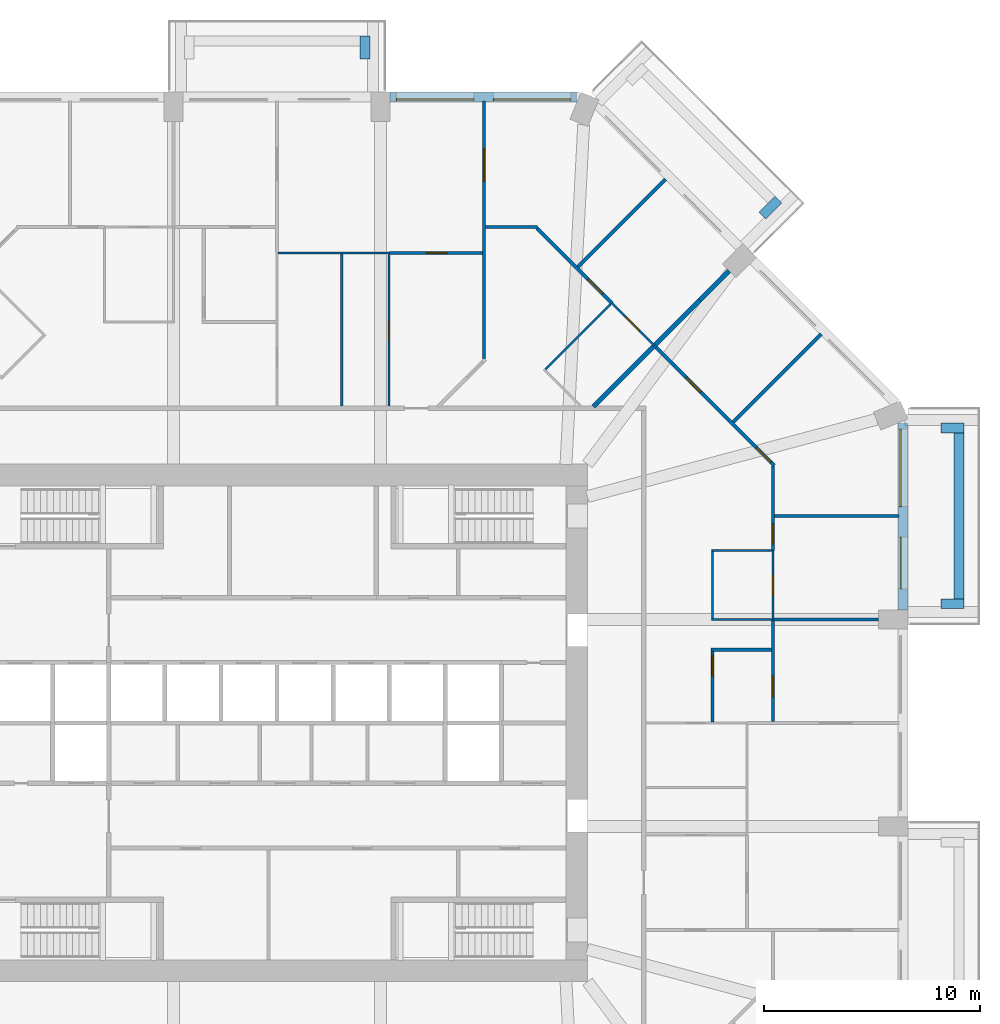
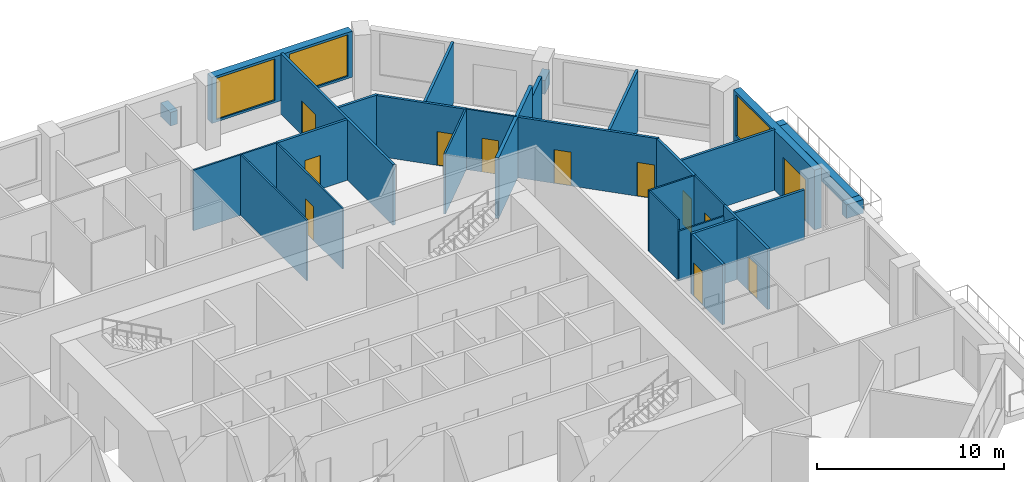
# One storey, part 10 of 13: 31 walls, 12 doors, 3 windows, 15 openings.
"""IFC4 building model written with IfcOpenShell, lengths in metres."""

from ifc_helpers import new_model, si_unit, direction, frame, frame_2d, origin, place, context, subcontext, project, spatial, rectangle, extrude, material, layer, layer_set, type_object, element, fill, save


model = new_model("IFC4")

# Units and contexts
model_context = context("Model", 3, precision=1e-05, world=origin(), true_north=direction((0.0, 1.0)))
body_context = subcontext(model_context, "Body", "Model", "MODEL_VIEW")
ifc_project = project(units=[si_unit("LENGTHUNIT", "METRE"), si_unit("AREAUNIT", "SQUARE_METRE"), si_unit("VOLUMEUNIT", "CUBIC_METRE"), si_unit("PLANEANGLEUNIT", "RADIAN"), si_unit("MASSUNIT", "GRAM", prefix="KILO")], contexts=[model_context])

# Site, building, storey
site_placement = place(None, origin())
site = spatial("IfcSite", under=ifc_project, at=site_placement, CompositionType="ELEMENT")
building_placement = place(site_placement, origin())
building = spatial("IfcBuilding", under=site, at=building_placement, Name="Msitu Wima Residences", CompositionType="ELEMENT")
storey_placement = place(building_placement, frame((0.0, 0.0, 33.89990234375)))
storey = spatial("IfcBuildingStorey", under=building, at=storey_placement, Name="L07", CompositionType="ELEMENT", Elevation=33.89990234375)

# Walls
ifc_material_1 = material(Name="Facing brick")
ifc_layer_1 = layer(ifc_material_1, 0.06494140625, Name="Facing brick")
ifc_material_2 = material(Name="Concrete C40/50", Category="concrete")
ifc_layer_2 = layer(ifc_material_2, 0.156005859375, Name="Concrete C40/50")
ifc_material_3 = material(Name="Waterproofing membrane")
ifc_layer_3 = layer(ifc_material_3, 0.00390625, Name="Waterproofing membrane")
ifc_material_4 = material(Name="Planting soil and planting")
ifc_layer_4 = layer(ifc_material_4, 0.22509765625, Name="Planting soil and planting")
ifc_layer_set_1 = layer_set([ifc_layer_1, ifc_layer_2, ifc_layer_3, ifc_layer_4], Name="Concrete C40/50")
wall_type_1 = type_object("IfcWallType", Name="Balcony planter PLANTER PL450", PredefinedType="USERDEFINED", material=ifc_layer_set_1)
wall_1_placement = place(storey_placement, frame((31.625, 5.75, 0.0), z_axis=(0.0, 0.0, 1.0), x_axis=(0.0, 1.0, 0.0)))
element("IfcWall", 1, at=wall_1_placement, inside=storey, type_object=wall_type_1, Name="Balcony planter E2 L07", ObjectType="PLANTER", PredefinedType="USERDEFINED", context=body_context, shape_type="SweptSolid", body=[
    extrude(rectangle(XDim=7.699951171875, YDim=0.449951171875, at=frame_2d((3.85009765625, 0.0))), origin(), (0.0, 0.0, 1.0), 0.900146484375),
])
for number, where, z_axis, x_axis, name in (
    (2, (30.800048828125, 5.52490234375, 0.0), (0.0, 0.0, 1.0), (1.0, 0.0, 0.0), "Balcony planter E2 L07"),
    (3, (30.800048828125, 13.675048828125, 0.0), (0.0, 0.0, 1.0), (1.0, 0.0, 0.0), "Balcony planter E2 L07"),
    (4, (22.50146484375, 23.52685546875, 0.0), (0.0, 0.0, 1.0), (0.707223014731, 0.706990528533, 0.0), "Balcony planter NE1 L07"),
    (5, (4.074951171875, 30.800048828125, 0.0), (0.0, 0.0, 1.0), (0.0, 1.0, 0.0), "Balcony planter N1 L07"),
):
    element("IfcWall", number, at=place(storey_placement, frame(where, z_axis=z_axis, x_axis=x_axis)), inside=storey, type_object=wall_type_1, Name=name, ObjectType="PLANTER", PredefinedType="USERDEFINED", context=body_context, shape_type="SweptSolid", body=[
        extrude(rectangle(XDim=1.050048828125, YDim=0.449951171875, at=frame_2d((0.52490234375, 0.0))), origin(), (0.0, 0.0, 1.0), 0.900146484375),
    ])

# Wall, openings, door, window
ifc_material_5 = material(Name="Brick (red buff mix)", Category="masonry")
ifc_layer_5 = layer(ifc_material_5, 0.449951171875)
ifc_layer_set_2 = layer_set([ifc_layer_5], Name="Brick (red buff mix)")
wall_type_2 = type_object("IfcWallType", Name="Brick infill wall BW450", PredefinedType="SOLIDWALL", material=ifc_layer_set_2)
wall_2_placement = place(storey_placement, frame((29.02490234375, 5.25, 0.0), z_axis=(0.0, 0.0, 1.0), x_axis=(0.0, 1.0, 0.0)))
wall_2 = element("IfcWall", 6, at=wall_2_placement, inside=storey, type_object=wall_type_2, Name="Brick infill wall L07 E2", PredefinedType="SOLIDWALL", context=body_context, shape_type="SweptSolid", body=[
    extrude(rectangle(XDim=8.662841796875, YDim=0.449951171875, at=frame_2d((4.33154296875, 0.0))), origin(), (0.0, 0.0, 1.0), 3.900146484375),
])
opening_1_placement = place(wall_2_placement, frame((0.9658203125, 0.0, 0.0)))
opening_1 = element("IfcOpeningElement", 7, at=opening_1_placement, cuts=wall_2, Name="Opening D05-07.002", PredefinedType="OPENING", context=body_context, shape_type="SweptSolid", body=[
    extrude(rectangle(XDim=2.39990234375, YDim=2.699951171875, at=frame_2d((1.199951171875, 1.35009765625))), frame((0.0, 0.23486328125, 0.0), z_axis=(0.0, -1.0, 0.0), x_axis=(1.0, 0.0, 0.0)), (0.0, 0.0, 1.0), 0.469970703125),
])
opening_2_placement = place(wall_2_placement, frame((4.781494140625, 0.0, 1.050048828125)))
opening_2 = element("IfcOpeningElement", 8, at=opening_2_placement, cuts=wall_2, Name="Opening W05-07.004", PredefinedType="OPENING", context=body_context, shape_type="SweptSolid", body=[
    extrude(rectangle(XDim=3.60009765625, YDim=2.699951171875, at=frame_2d((1.800048828125, 1.35009765625))), frame((0.0, 0.23486328125, 0.0), z_axis=(0.0, -1.0, 0.0), x_axis=(1.0, 0.0, 0.0)), (0.0, 0.0, 1.0), 0.469970703125),
])
ifc_material_6 = material(Name="Anodised aluminium, bronze finish, clear low-emissivity double glazing", Category="aluminium")
door_type_1 = type_object("IfcDoorType", Name="Balcony door D2400x2700", OperationType="SLIDING_TO_LEFT", PredefinedType="DOOR", material=ifc_material_6)
door_1_placement = place(opening_1_placement, origin())
door_1 = element("IfcDoor", 9, at=door_1_placement, inside=storey, type_object=door_type_1, Name="Balcony door L07 E2", OperationType="SINGLE_SWING_LEFT", OverallHeight=2.699951171875, OverallWidth=2.39990234375, PredefinedType="DOOR", context=body_context, shape_type="SweptSolid", body=[
    extrude(rectangle(XDim=2.39990234375, YDim=2.699951171875, at=frame_2d((1.199951171875, 1.35009765625))), frame((0.0, 0.1298828125, 0.0), z_axis=(0.0, -1.0, 0.0), x_axis=(1.0, 0.0, 0.0)), (0.0, 0.0, 1.0), 0.050048828125),
])
fill(opening_1, door_1)
window_type = type_object("IfcWindowType", Name="Window W3600x2700", PartitioningType="DOUBLE_PANEL_VERTICAL", PredefinedType="WINDOW", material=ifc_material_6)
window_1_placement = place(opening_2_placement, origin())
window_1 = element("IfcWindow", 10, at=window_1_placement, inside=storey, type_object=window_type, Name="Window L07 E2.2", OverallHeight=2.699951171875, OverallWidth=3.60009765625, PartitioningType="SINGLE_PANEL", PredefinedType="WINDOW", context=body_context, shape_type="SweptSolid", body=[
    extrude(rectangle(XDim=3.60009765625, YDim=2.699951171875, at=frame_2d((1.800048828125, 1.35009765625))), frame((0.0, 0.135009765625, 0.0), z_axis=(0.0, -1.0, 0.0), x_axis=(1.0, 0.0, 0.0)), (0.0, 0.0, 1.0), 0.06005859375),
])
fill(opening_2, window_1)

# Wall, openings, windows
wall_3_placement = place(storey_placement, frame((13.912841796875, 29.02490234375, 0.900146484375), z_axis=(0.0, 0.0, 1.0), x_axis=(-1.0, 0.0, 0.0)))
wall_3 = element("IfcWall", 11, at=wall_3_placement, inside=storey, type_object=wall_type_2, Name="Brick infill wall L07 N0", PredefinedType="SOLIDWALL", context=body_context, shape_type="SweptSolid", body=[
    extrude(rectangle(XDim=8.662841796875, YDim=0.449951171875, at=frame_2d((4.33154296875, 0.0))), origin(), (0.0, 0.0, 1.0), 3.0),
])
opening_3_placement = place(wall_3_placement, frame((0.281494140625, 0.0, 0.14990234375)))
opening_3 = element("IfcOpeningElement", 12, at=opening_3_placement, cuts=wall_3, Name="Opening W05-07.005", PredefinedType="OPENING", context=body_context, shape_type="SweptSolid", body=[
    extrude(rectangle(XDim=3.60009765625, YDim=2.699951171875, at=frame_2d((1.800048828125, 1.35009765625))), frame((0.0, 0.23486328125, 0.0), z_axis=(0.0, -1.0, 0.0), x_axis=(1.0, 0.0, 0.0)), (0.0, 0.0, 1.0), 0.469970703125),
])
opening_4_placement = place(wall_3_placement, frame((4.781494140625, 0.0, 0.14990234375)))
opening_4 = element("IfcOpeningElement", 13, at=opening_4_placement, cuts=wall_3, Name="Opening W05-07.006", PredefinedType="OPENING", context=body_context, shape_type="SweptSolid", body=[
    extrude(rectangle(XDim=3.60009765625, YDim=2.699951171875, at=frame_2d((1.800048828125, 1.35009765625))), frame((0.0, 0.23486328125, 0.0), z_axis=(0.0, -1.0, 0.0), x_axis=(1.0, 0.0, 0.0)), (0.0, 0.0, 1.0), 0.469970703125),
])
window_2_placement = place(opening_3_placement, origin())
window_2 = element("IfcWindow", 14, at=window_2_placement, inside=storey, type_object=window_type, Name="Window L07 N0.1", OverallHeight=2.699951171875, OverallWidth=3.60009765625, PartitioningType="SINGLE_PANEL", PredefinedType="WINDOW", context=body_context, shape_type="SweptSolid", body=[
    extrude(rectangle(XDim=3.60009765625, YDim=2.699951171875, at=frame_2d((1.800048828125, 1.35009765625))), frame((0.0, 0.135009765625, 0.0), z_axis=(0.0, -1.0, 0.0), x_axis=(1.0, 0.0, 0.0)), (0.0, 0.0, 1.0), 0.06005859375),
])
fill(opening_3, window_2)
window_3_placement = place(opening_4_placement, origin())
window_3 = element("IfcWindow", 15, at=window_3_placement, inside=storey, type_object=window_type, Name="Window L07 N0.2", OverallHeight=2.699951171875, OverallWidth=3.60009765625, PartitioningType="SINGLE_PANEL", PredefinedType="WINDOW", context=body_context, shape_type="SweptSolid", body=[
    extrude(rectangle(XDim=3.60009765625, YDim=2.699951171875, at=frame_2d((1.800048828125, 1.35009765625))), frame((0.0, 0.135009765625, 0.0), z_axis=(0.0, -1.0, 0.0), x_axis=(1.0, 0.0, 0.0)), (0.0, 0.0, 1.0), 0.06005859375),
])
fill(opening_4, window_3)

# Wall, opening, door
ifc_material_7 = material(Name="Plaster")
ifc_layer_6 = layer(ifc_material_7, 0.011962890625, Name="Plaster")
ifc_material_8 = material(Name="Concrete blockwork", Category="masonry")
ifc_layer_7 = layer(ifc_material_8, 0.1259765625, Name="Concrete blockwork")
ifc_layer_8 = layer(ifc_material_7, 0.011962890625, Name="Plaster")
ifc_layer_set_3 = layer_set([ifc_layer_6, ifc_layer_7, ifc_layer_8], Name="Concrete blockwork")
wall_type_3 = type_object("IfcWallType", Name="Partition PW150", PredefinedType="PARTITIONING", material=ifc_layer_set_3)
wall_4_placement = place(storey_placement, frame((5.219970703125, 21.800048828125, 0.0), z_axis=(0.0, 0.0, 1.0), x_axis=(1.0, 0.0, 0.0)))
wall_4 = element("IfcWall", 16, at=wall_4_placement, inside=storey, type_object=wall_type_3, Name="Partition", PredefinedType="PARTITIONING", context=body_context, shape_type="SweptSolid", body=[
    extrude(rectangle(XDim=4.304931640625, YDim=0.14990234375, at=frame_2d((2.15234375, 0.0))), origin(), (0.0, 0.0, 1.0), 3.9501953125),
])
opening_5_placement = place(wall_4_placement, frame((1.699951171875, 0.0, 0.0)))
opening_5 = element("IfcOpeningElement", 17, at=opening_5_placement, cuts=wall_4, Name="Opening D05-07.048", PredefinedType="OPENING", context=body_context, shape_type="SweptSolid", body=[
    extrude(rectangle(XDim=0.949951171875, YDim=2.199951171875, at=frame_2d((0.47509765625, 1.10009765625))), frame((0.0, 0.0849609375, 0.0), z_axis=(0.0, -1.0, 0.0), x_axis=(1.0, 0.0, 0.0)), (0.0, 0.0, 1.0), 0.169921875),
])
ifc_material_9 = material(Name="Timber flush door", Category="wood")
door_type_2 = type_object("IfcDoorType", Name="Room door D12 950x2200", OperationType="SINGLE_SWING_LEFT", PredefinedType="DOOR", material=ifc_material_9)
door_2_placement = place(opening_5_placement, origin())
door_2 = element("IfcDoor", 18, at=door_2_placement, inside=storey, type_object=door_type_2, Name="Room door", OperationType="SINGLE_SWING_RIGHT", OverallHeight=2.199951171875, OverallWidth=0.949951171875, PredefinedType="DOOR", context=body_context, shape_type="SweptSolid", body=[
    extrude(rectangle(XDim=0.949951171875, YDim=2.199951171875, at=frame_2d((0.47509765625, 1.10009765625))), frame((0.0, 0.02490234375, 0.0), z_axis=(0.0, -1.0, 0.0), x_axis=(1.0, 0.0, 0.0)), (0.0, 0.0, 1.0), 0.050048828125),
])
fill(opening_5, door_2)

wall_5_placement = place(storey_placement, frame((9.60009765625, 16.875, 0.0), z_axis=(0.0, 0.0, 1.0), x_axis=(0.0, 1.0, 0.0)))
wall_5 = element("IfcWall", 19, at=wall_5_placement, inside=storey, type_object=wall_type_3, Name="Partition", PredefinedType="PARTITIONING", context=body_context, shape_type="SweptSolid", body=[
    extrude(rectangle(XDim=11.97998046875, YDim=0.14990234375, at=frame_2d((5.989990234375, 0.0))), origin(), (0.0, 0.0, 1.0), 3.9501953125),
])
opening_6_placement = place(wall_5_placement, frame((8.25, 0.0, 0.0)))
opening_6 = element("IfcOpeningElement", 20, at=opening_6_placement, cuts=wall_5, Name="Opening D05-07.055", PredefinedType="OPENING", context=body_context, shape_type="SweptSolid", body=[
    extrude(rectangle(XDim=1.5, YDim=2.199951171875, at=frame_2d((0.75, 1.10009765625))), frame((0.0, 0.0849609375, 0.0), z_axis=(0.0, -1.0, 0.0), x_axis=(1.0, 0.0, 0.0)), (0.0, 0.0, 1.0), 0.169921875),
])
ifc_material_10 = material(Name="Timber double door", Category="wood")
door_type_3 = type_object("IfcDoorType", Name="Double door D04 1500x2200", OperationType="DOUBLE_DOOR_SINGLE_SWING", PredefinedType="DOOR", material=ifc_material_10)
door_3_placement = place(opening_6_placement, origin())
door_3 = element("IfcDoor", 21, at=door_3_placement, inside=storey, type_object=door_type_3, Name="Double door", OperationType="DOUBLE_DOOR_SINGLE_SWING", OverallHeight=2.199951171875, OverallWidth=1.5, PredefinedType="DOOR", context=body_context, shape_type="SweptSolid", body=[
    extrude(rectangle(XDim=1.5, YDim=2.199951171875, at=frame_2d((0.75, 1.10009765625))), frame((0.0, 0.02490234375, 0.0), z_axis=(0.0, -1.0, 0.0), x_axis=(1.0, 0.0, 0.0)), (0.0, 0.0, 1.0), 0.050048828125),
])
fill(opening_6, door_3)

# Wall
wall_6_placement = place(storey_placement, frame((9.675048828125, 23.0, 0.0), z_axis=(0.0, 0.0, 1.0), x_axis=(1.0, 0.0, 0.0)))
element("IfcWall", 22, at=wall_6_placement, inside=storey, type_object=wall_type_3, Name="Partition", PredefinedType="PARTITIONING", context=body_context, shape_type="SweptSolid", body=[
    extrude(rectangle(XDim=2.3974609375, YDim=0.14990234375, at=frame_2d((1.19873046875, 0.0))), origin(), (0.0, 0.0, 1.0), 3.9501953125),
])

# Wall, opening, door
wall_7_placement = place(storey_placement, frame((12.050537109375, 22.947021484375, 0.0), z_axis=(0.0, 0.0, 1.0), x_axis=(0.707106781187, -0.707106781187, 0.0)))
wall_7 = element("IfcWall", 23, at=wall_7_placement, inside=storey, type_object=wall_type_3, Name="Partition", PredefinedType="PARTITIONING", context=body_context, shape_type="SweptSolid", body=[
    extrude(rectangle(XDim=4.9248046875, YDim=0.14990234375, at=frame_2d((2.46240234375, 0.0))), origin(), (0.0, 0.0, 1.0), 3.9501953125),
])
opening_7_placement = place(wall_7_placement, frame((3.35009765625, 0.0, 0.0)))
opening_7 = element("IfcOpeningElement", 24, at=opening_7_placement, cuts=wall_7, Name="Opening D05-07.051", PredefinedType="OPENING", context=body_context, shape_type="SweptSolid", body=[
    extrude(rectangle(XDim=0.949951171875, YDim=2.199951171875, at=frame_2d((0.47509765625, 1.10009765625))), frame((0.0, 0.0849609375, 0.0), z_axis=(0.0, -1.0, 0.0), x_axis=(1.0, 0.0, 0.0)), (0.0, 0.0, 1.0), 0.169921875),
])
door_4_placement = place(opening_7_placement, origin())
door_4 = element("IfcDoor", 25, at=door_4_placement, inside=storey, type_object=door_type_2, Name="Room door", OperationType="SINGLE_SWING_LEFT", OverallHeight=2.199951171875, OverallWidth=0.949951171875, PredefinedType="DOOR", context=body_context, shape_type="SweptSolid", body=[
    extrude(rectangle(XDim=0.949951171875, YDim=2.199951171875, at=frame_2d((0.47509765625, 1.10009765625))), frame((0.0, 0.02490234375, 0.0), z_axis=(0.0, -1.0, 0.0), x_axis=(1.0, 0.0, 0.0)), (0.0, 0.0, 1.0), 0.050048828125),
])
fill(opening_7, door_4)

# Wall
wall_8_placement = place(storey_placement, frame((13.951904296875, 21.15185546875, 0.0), z_axis=(0.0, 0.0, 1.0), x_axis=(0.707085550893, 0.707128010843, 0.0)))
element("IfcWall", 26, at=wall_8_placement, inside=storey, type_object=wall_type_3, Name="Partition", PredefinedType="PARTITIONING", context=body_context, shape_type="SweptSolid", body=[
    extrude(rectangle(XDim=5.75, YDim=0.14990234375, at=frame_2d((2.875, 0.0))), origin(), (0.0, 0.0, 1.0), 3.9501953125),
])

# Wall, openings, doors
wall_9_placement = place(storey_placement, frame((17.498779296875, 17.498779296875, 0.0), z_axis=(0.0, 0.0, 1.0), x_axis=(0.707106781187, -0.707106781187, 0.0)))
wall_9 = element("IfcWall", 27, at=wall_9_placement, inside=storey, type_object=wall_type_3, Name="Partition", PredefinedType="PARTITIONING", context=body_context, shape_type="SweptSolid", body=[
    extrude(rectangle(XDim=7.854736328125, YDim=0.14990234375, at=frame_2d((3.92724609375, 0.0))), origin(), (0.0, 0.0, 1.0), 3.9501953125),
])
opening_8_placement = place(wall_9_placement, frame((2.10009765625, 0.0, 0.0)))
opening_8 = element("IfcOpeningElement", 28, at=opening_8_placement, cuts=wall_9, Name="Opening D05-07.097", PredefinedType="OPENING", context=body_context, shape_type="SweptSolid", body=[
    extrude(rectangle(XDim=0.949951171875, YDim=2.199951171875, at=frame_2d((0.47509765625, 1.10009765625))), frame((0.0, 0.0849609375, 0.0), z_axis=(0.0, -1.0, 0.0), x_axis=(1.0, 0.0, 0.0)), (0.0, 0.0, 1.0), 0.169921875),
])
opening_9_placement = place(wall_9_placement, frame((6.699951171875, 0.0, 0.0)))
opening_9 = element("IfcOpeningElement", 29, at=opening_9_placement, cuts=wall_9, Name="Opening D05-07.046", PredefinedType="OPENING", context=body_context, shape_type="SweptSolid", body=[
    extrude(rectangle(XDim=0.949951171875, YDim=2.199951171875, at=frame_2d((0.47509765625, 1.10009765625))), frame((0.0, 0.0849609375, 0.0), z_axis=(0.0, -1.0, 0.0), x_axis=(1.0, 0.0, 0.0)), (0.0, 0.0, 1.0), 0.169921875),
])
door_5_placement = place(opening_8_placement, origin())
door_5 = element("IfcDoor", 30, at=door_5_placement, inside=storey, type_object=door_type_2, Name="Room door", OperationType="SINGLE_SWING_RIGHT", OverallHeight=2.199951171875, OverallWidth=0.949951171875, PredefinedType="DOOR", context=body_context, shape_type="SweptSolid", body=[
    extrude(rectangle(XDim=0.949951171875, YDim=2.199951171875, at=frame_2d((0.47509765625, 1.10009765625))), frame((0.0, 0.02490234375, 0.0), z_axis=(0.0, -1.0, 0.0), x_axis=(1.0, 0.0, 0.0)), (0.0, 0.0, 1.0), 0.050048828125),
])
fill(opening_8, door_5)
door_6_placement = place(opening_9_placement, origin())
door_6 = element("IfcDoor", 31, at=door_6_placement, inside=storey, type_object=door_type_2, Name="Room door", OperationType="SINGLE_SWING_LEFT", OverallHeight=2.199951171875, OverallWidth=0.949951171875, PredefinedType="DOOR", context=body_context, shape_type="SweptSolid", body=[
    extrude(rectangle(XDim=0.949951171875, YDim=2.199951171875, at=frame_2d((0.47509765625, 1.10009765625))), frame((0.0, 0.02490234375, 0.0), z_axis=(0.0, -1.0, 0.0), x_axis=(1.0, 0.0, 0.0)), (0.0, 0.0, 1.0), 0.050048828125),
])
fill(opening_9, door_6)

# Wall, opening, door
wall_10_placement = place(storey_placement, frame((20.199951171875, 0.050048828125, 0.0), z_axis=(0.0, 0.0, 1.0), x_axis=(0.0, 1.0, 0.0)))
wall_10 = element("IfcWall", 32, at=wall_10_placement, inside=storey, type_object=wall_type_3, Name="Partition", PredefinedType="PARTITIONING", context=body_context, shape_type="SweptSolid", body=[
    extrude(rectangle(XDim=3.27490234375, YDim=0.14990234375, at=frame_2d((1.637451171875, 0.0))), origin(), (0.0, 0.0, 1.0), 3.9501953125),
])
opening_10_placement = place(wall_10_placement, frame((2.14990234375, 0.0, 0.0)))
opening_10 = element("IfcOpeningElement", 33, at=opening_10_placement, cuts=wall_10, Name="Opening D05-07.096", PredefinedType="OPENING", context=body_context, shape_type="SweptSolid", body=[
    extrude(rectangle(XDim=0.949951171875, YDim=2.199951171875, at=frame_2d((0.47509765625, 1.10009765625))), frame((0.0, 0.0849609375, 0.0), z_axis=(0.0, -1.0, 0.0), x_axis=(1.0, 0.0, 0.0)), (0.0, 0.0, 1.0), 0.169921875),
])
door_7_placement = place(opening_10_placement, origin())
door_7 = element("IfcDoor", 34, at=door_7_placement, inside=storey, type_object=door_type_2, Name="Room door", OperationType="SINGLE_SWING_LEFT", OverallHeight=2.199951171875, OverallWidth=0.949951171875, PredefinedType="DOOR", context=body_context, shape_type="SweptSolid", body=[
    extrude(rectangle(XDim=0.949951171875, YDim=2.199951171875, at=frame_2d((0.47509765625, 1.10009765625))), frame((0.0, 0.02490234375, 0.0), z_axis=(0.0, -1.0, 0.0), x_axis=(1.0, 0.0, 0.0)), (0.0, 0.0, 1.0), 0.050048828125),
])
fill(opening_10, door_7)

# Walls
wall_11_placement = place(storey_placement, frame((20.125, 3.39990234375, 0.0), z_axis=(0.0, 0.0, 1.0), x_axis=(1.0, 0.0, 0.0)))
element("IfcWall", 35, at=wall_11_placement, inside=storey, type_object=wall_type_3, Name="Partition", PredefinedType="PARTITIONING", context=body_context, shape_type="SweptSolid", body=[
    extrude(rectangle(XDim=2.800048828125, YDim=0.14990234375, at=frame_2d((1.39990234375, 0.0))), origin(), (0.0, 0.0, 1.0), 3.9501953125),
])
wall_12_placement = place(storey_placement, frame((21.15185546875, 13.951904296875, 0.0), z_axis=(0.0, 0.0, 1.0), x_axis=(0.707106781187, 0.707106781187, 0.0)))
element("IfcWall", 36, at=wall_12_placement, inside=storey, type_object=wall_type_3, Name="Partition", PredefinedType="PARTITIONING", context=body_context, shape_type="SweptSolid", body=[
    extrude(rectangle(XDim=5.77978515625, YDim=0.14990234375, at=frame_2d((2.889892578125, 0.0))), origin(), (0.0, 0.0, 1.0), 3.9501953125),
])
wall_13_placement = place(storey_placement, frame((22.97998046875, 4.800048828125, 0.0), z_axis=(0.0, 0.0, 1.0), x_axis=(1.0, 0.0, 0.0)))
element("IfcWall", 37, at=wall_13_placement, inside=storey, type_object=wall_type_3, Name="Partition", PredefinedType="PARTITIONING", context=body_context, shape_type="SweptSolid", body=[
    extrude(rectangle(XDim=4.919921875, YDim=0.14990234375, at=frame_2d((2.4599609375, 0.0))), origin(), (0.0, 0.0, 1.0), 3.25),
])

# Wall, opening, door
wall_14_placement = place(storey_placement, frame((23.0, 0.074951171875, 0.0), z_axis=(0.0, 0.0, 1.0), x_axis=(0.0, 1.0, 0.0)))
wall_14 = element("IfcWall", 38, at=wall_14_placement, inside=storey, type_object=wall_type_3, Name="Partition", PredefinedType="PARTITIONING", context=body_context, shape_type="SweptSolid", body=[
    extrude(rectangle(XDim=4.72509765625, YDim=0.14990234375, at=frame_2d((2.362548828125, 0.0))), origin(), (0.0, 0.0, 1.0), 3.9501953125),
])
opening_11_placement = place(wall_14_placement, frame((1.14990234375, 0.0, 0.0)))
opening_11 = element("IfcOpeningElement", 39, at=opening_11_placement, cuts=wall_14, Name="Opening D05-07.094", PredefinedType="OPENING", context=body_context, shape_type="SweptSolid", body=[
    extrude(rectangle(XDim=0.949951171875, YDim=2.199951171875, at=frame_2d((0.47509765625, 1.10009765625))), frame((0.0, 0.0849609375, 0.0), z_axis=(0.0, -1.0, 0.0), x_axis=(1.0, 0.0, 0.0)), (0.0, 0.0, 1.0), 0.169921875),
])
door_8_placement = place(opening_11_placement, origin())
door_8 = element("IfcDoor", 40, at=door_8_placement, inside=storey, type_object=door_type_2, Name="Room door", OperationType="SINGLE_SWING_RIGHT", OverallHeight=2.199951171875, OverallWidth=0.949951171875, PredefinedType="DOOR", context=body_context, shape_type="SweptSolid", body=[
    extrude(rectangle(XDim=0.949951171875, YDim=2.199951171875, at=frame_2d((0.47509765625, 1.10009765625))), frame((0.0, 0.02490234375, 0.0), z_axis=(0.0, -1.0, 0.0), x_axis=(1.0, 0.0, 0.0)), (0.0, 0.0, 1.0), 0.050048828125),
])
fill(opening_11, door_8)

wall_15_placement = place(storey_placement, frame((23.0, 8.0, 0.0), z_axis=(0.0, 0.0, 1.0), x_axis=(0.0, 1.0, 0.0)))
wall_15 = element("IfcWall", 41, at=wall_15_placement, inside=storey, type_object=wall_type_3, Name="Partition", PredefinedType="PARTITIONING", context=body_context, shape_type="SweptSolid", body=[
    extrude(rectangle(XDim=3.922607421875, YDim=0.14990234375, at=frame_2d((1.96142578125, 0.0))), origin(), (0.0, 0.0, 1.0), 3.9501953125),
])
opening_12_placement = place(wall_15_placement, frame((0.300048828125, 0.0, 0.0)))
opening_12 = element("IfcOpeningElement", 42, at=opening_12_placement, cuts=wall_15, Name="Opening D05-07.043", PredefinedType="OPENING", context=body_context, shape_type="SweptSolid", body=[
    extrude(rectangle(XDim=0.949951171875, YDim=2.199951171875, at=frame_2d((0.47509765625, 1.10009765625))), frame((0.0, 0.0849609375, 0.0), z_axis=(0.0, -1.0, 0.0), x_axis=(1.0, 0.0, 0.0)), (0.0, 0.0, 1.0), 0.169921875),
])
door_9_placement = place(opening_12_placement, origin())
door_9 = element("IfcDoor", 43, at=door_9_placement, inside=storey, type_object=door_type_2, Name="Room door", OperationType="SINGLE_SWING_LEFT", OverallHeight=2.199951171875, OverallWidth=0.949951171875, PredefinedType="DOOR", context=body_context, shape_type="SweptSolid", body=[
    extrude(rectangle(XDim=0.949951171875, YDim=2.199951171875, at=frame_2d((0.47509765625, 1.10009765625))), frame((0.0, 0.02490234375, 0.0), z_axis=(0.0, -1.0, 0.0), x_axis=(1.0, 0.0, 0.0)), (0.0, 0.0, 1.0), 0.050048828125),
])
fill(opening_12, door_9)

# Walls
wall_16_placement = place(storey_placement, frame((23.074951171875, 9.60009765625, 0.0), z_axis=(0.0, 0.0, 1.0), x_axis=(1.0, 0.0, 0.0)))
element("IfcWall", 44, at=wall_16_placement, inside=storey, type_object=wall_type_3, Name="Partition", PredefinedType="PARTITIONING", context=body_context, shape_type="SweptSolid", body=[
    extrude(rectangle(XDim=5.780029296875, YDim=0.14990234375, at=frame_2d((2.89013671875, 0.0))), origin(), (0.0, 0.0, 1.0), 3.9501953125),
])
ifc_layer_9 = layer(ifc_material_7, 0.011962890625, Name="Plaster")
ifc_material_11 = material(Name="Dense concrete blockwork", Category="masonry")
ifc_layer_10 = layer(ifc_material_11, 0.176025390625, Name="Dense concrete blockwork")
ifc_layer_11 = layer(ifc_material_7, 0.011962890625, Name="Plaster")
ifc_layer_set_4 = layer_set([ifc_layer_9, ifc_layer_10, ifc_layer_11], Name="Dense concrete blockwork")
wall_type_4 = type_object("IfcWallType", Name="Party wall PW200", PredefinedType="PARTITIONING", material=ifc_layer_set_4)
wall_17_placement = place(storey_placement, frame((14.670654296875, 14.670654296875, 0.0), z_axis=(0.0, 0.0, 1.0), x_axis=(0.707106781187, 0.707106781187, 0.0)))
element("IfcWall", 45, at=wall_17_placement, inside=storey, type_object=wall_type_4, Name="Party wall", PredefinedType="PARTITIONING", context=body_context, shape_type="SweptSolid", body=[
    extrude(rectangle(XDim=6.979248046875, YDim=0.199951171875, at=frame_2d((3.48974609375, 0.0))), origin(), (0.0, 0.0, 1.0), 3.9501953125),
])
wall_18_placement = place(storey_placement, frame((19.605712890625, 19.605712890625, 0.0), z_axis=(0.0, 0.0, 1.0), x_axis=(0.707106781187, 0.707106781187, 0.0)))
element("IfcWall", 46, at=wall_18_placement, inside=storey, type_object=wall_type_4, Name="Party wall", PredefinedType="PARTITIONING", context=body_context, shape_type="SweptSolid", body=[
    extrude(rectangle(XDim=1.92041015625, YDim=0.199951171875, at=frame_2d((0.960205078125, 0.0))), origin(), (0.0, 0.0, 1.0), 3.25),
])
ifc_material_12 = material(Name="Ceramic tiles")
ifc_layer_12 = layer(ifc_material_12, 0.008056640625, Name="Ceramic tiles")
ifc_material_13 = material(Name="Moisture-resistant board")
ifc_layer_13 = layer(ifc_material_13, 0.012451171875, Name="Moisture-resistant board")
ifc_material_14 = material(Name="Light-gauge stud framing with mineral wool")
ifc_layer_14 = layer(ifc_material_14, 0.06689453125, Name="Light-gauge stud framing with mineral wool")
ifc_layer_15 = layer(ifc_material_13, 0.012451171875, Name="Moisture-resistant board")
ifc_layer_set_5 = layer_set([ifc_layer_12, ifc_layer_13, ifc_layer_14, ifc_layer_15], Name="Light-gauge stud framing with mineral wool")
wall_type_5 = type_object("IfcWallType", Name="Wet wall PW100", PredefinedType="PARTITIONING", material=ifc_layer_set_5)
wall_19_placement = place(storey_placement, frame((0.050048828125, 21.800048828125, 0.0), z_axis=(0.0, 0.0, 1.0), x_axis=(1.0, 0.0, 0.0)))
element("IfcWall", 47, at=wall_19_placement, inside=storey, type_object=wall_type_5, Name="Wet wall", PredefinedType="PARTITIONING", context=body_context, shape_type="SweptSolid", body=[
    extrude(rectangle(XDim=5.169921875, YDim=0.10009765625, at=frame_2d((2.5849609375, 0.0))), origin(), (0.0, 0.0, 1.0), 3.9501953125),
])
wall_20_placement = place(storey_placement, frame((3.0, 14.699951171875, 0.0), z_axis=(0.0, 0.0, 1.0), x_axis=(0.0, 1.0, 0.0)))
element("IfcWall", 48, at=wall_20_placement, inside=storey, type_object=wall_type_5, Name="Wet wall", PredefinedType="PARTITIONING", context=body_context, shape_type="SweptSolid", body=[
    extrude(rectangle(XDim=7.050048828125, YDim=0.10009765625, at=frame_2d((3.52490234375, 0.0))), origin(), (0.0, 0.0, 1.0), 3.9501953125),
])

# Wall, opening, door
wall_21_placement = place(storey_placement, frame((5.199951171875, 14.699951171875, 0.0), z_axis=(0.0, 0.0, 1.0), x_axis=(0.0, 1.0, 0.0)))
wall_21 = element("IfcWall", 49, at=wall_21_placement, inside=storey, type_object=wall_type_5, Name="Wet wall", PredefinedType="PARTITIONING", context=body_context, shape_type="SweptSolid", body=[
    extrude(rectangle(XDim=7.025146484375, YDim=0.10009765625, at=frame_2d((3.5126953125, 0.0))), origin(), (0.0, 0.0, 1.0), 3.9501953125),
])
opening_13_placement = place(wall_21_placement, frame((3.050048828125, 0.0, 0.0)))
opening_13 = element("IfcOpeningElement", 50, at=opening_13_placement, cuts=wall_21, Name="Opening D05-07.049", PredefinedType="OPENING", context=body_context, shape_type="SweptSolid", body=[
    extrude(rectangle(XDim=0.89990234375, YDim=2.199951171875, at=frame_2d((0.449951171875, 1.10009765625))), frame((0.0, 0.06005859375, 0.0), z_axis=(0.0, -1.0, 0.0), x_axis=(1.0, 0.0, 0.0)), (0.0, 0.0, 1.0), 0.1201171875),
])
ifc_material_15 = material(Name="Timber flush door, moisture resistant", Category="wood")
door_type_4 = type_object("IfcDoorType", Name="Bathroom door D03 900x2200", OperationType="SINGLE_SWING_LEFT", PredefinedType="DOOR", material=ifc_material_15)
door_10_placement = place(opening_13_placement, origin())
door_10 = element("IfcDoor", 51, at=door_10_placement, inside=storey, type_object=door_type_4, Name="Bathroom door", OperationType="SINGLE_SWING_LEFT", OverallHeight=2.199951171875, OverallWidth=0.89990234375, PredefinedType="DOOR", context=body_context, shape_type="SweptSolid", body=[
    extrude(rectangle(XDim=0.89990234375, YDim=2.199951171875, at=frame_2d((0.449951171875, 1.10009765625))), frame((0.0, 0.02490234375, 0.0), z_axis=(0.0, -1.0, 0.0), x_axis=(1.0, 0.0, 0.0)), (0.0, 0.0, 1.0), 0.050048828125),
])
fill(opening_13, door_10)

# Wall
wall_22_placement = place(storey_placement, frame((12.44287109375, 16.40283203125, 0.0), z_axis=(0.0, 0.0, 1.0), x_axis=(0.707135335582, 0.707078225638, 0.0)))
element("IfcWall", 52, at=wall_22_placement, inside=storey, type_object=wall_type_5, Name="Wet wall", PredefinedType="PARTITIONING", context=body_context, shape_type="SweptSolid", body=[
    extrude(rectangle(XDim=4.27490234375, YDim=0.10009765625, at=frame_2d((2.137451171875, 0.0))), origin(), (0.0, 0.0, 1.0), 3.9501953125),
])

# Wall, opening, door
wall_23_placement = place(storey_placement, frame((15.532958984375, 19.464599609375, 0.0), z_axis=(0.0, 0.0, 1.0), x_axis=(0.707106781187, -0.707106781187, 0.0)))
wall_23 = element("IfcWall", 53, at=wall_23_placement, inside=storey, type_object=wall_type_5, Name="Wet wall", PredefinedType="PARTITIONING", context=body_context, shape_type="SweptSolid", body=[
    extrude(rectangle(XDim=2.780029296875, YDim=0.10009765625, at=frame_2d((1.39013671875, 0.0))), origin(), (0.0, 0.0, 1.0), 3.9501953125),
])
opening_14_placement = place(wall_23_placement, frame((0.89990234375, 0.0, 0.0)))
opening_14 = element("IfcOpeningElement", 54, at=opening_14_placement, cuts=wall_23, Name="Opening D05-07.052", PredefinedType="OPENING", context=body_context, shape_type="SweptSolid", body=[
    extrude(rectangle(XDim=0.89990234375, YDim=2.199951171875, at=frame_2d((0.449951171875, 1.10009765625))), frame((0.0, 0.06005859375, 0.0), z_axis=(0.0, -1.0, 0.0), x_axis=(1.0, 0.0, 0.0)), (0.0, 0.0, 1.0), 0.1201171875),
])
door_11_placement = place(opening_14_placement, origin())
door_11 = element("IfcDoor", 55, at=door_11_placement, inside=storey, type_object=door_type_4, Name="Bathroom door", OperationType="SINGLE_SWING_RIGHT", OverallHeight=2.199951171875, OverallWidth=0.89990234375, PredefinedType="DOOR", context=body_context, shape_type="SweptSolid", body=[
    extrude(rectangle(XDim=0.89990234375, YDim=2.199951171875, at=frame_2d((0.449951171875, 1.10009765625))), frame((0.0, 0.02490234375, 0.0), z_axis=(0.0, -1.0, 0.0), x_axis=(1.0, 0.0, 0.0)), (0.0, 0.0, 1.0), 0.050048828125),
])
fill(opening_14, door_11)

# Walls
wall_24_placement = place(storey_placement, frame((20.199951171875, 4.85009765625, 0.0), z_axis=(0.0, 0.0, 1.0), x_axis=(0.0, 1.0, 0.0)))
element("IfcWall", 56, at=wall_24_placement, inside=storey, type_object=wall_type_5, Name="Wet wall", PredefinedType="PARTITIONING", context=body_context, shape_type="SweptSolid", body=[
    extrude(rectangle(XDim=3.099853515625, YDim=0.10009765625, at=frame_2d((1.5498046875, 0.0))), origin(), (0.0, 0.0, 1.0), 3.9501953125),
])
wall_25_placement = place(storey_placement, frame((20.14990234375, 4.800048828125, 0.0), z_axis=(0.0, 0.0, 1.0), x_axis=(1.0, 0.0, 0.0)))
element("IfcWall", 57, at=wall_25_placement, inside=storey, type_object=wall_type_5, Name="Wet wall", PredefinedType="PARTITIONING", context=body_context, shape_type="SweptSolid", body=[
    extrude(rectangle(XDim=2.830078125, YDim=0.10009765625, at=frame_2d((1.4150390625, 0.0))), origin(), (0.0, 0.0, 1.0), 3.25),
])
wall_26_placement = place(storey_placement, frame((20.14990234375, 8.0, 0.0), z_axis=(0.0, 0.0, 1.0), x_axis=(1.0, 0.0, 0.0)))
element("IfcWall", 58, at=wall_26_placement, inside=storey, type_object=wall_type_5, Name="Wet wall", PredefinedType="PARTITIONING", context=body_context, shape_type="SweptSolid", body=[
    extrude(rectangle(XDim=2.775146484375, YDim=0.10009765625, at=frame_2d((1.3876953125, 0.0))), origin(), (0.0, 0.0, 1.0), 3.9501953125),
])

# Wall, opening, door
wall_27_placement = place(storey_placement, frame((23.0, 4.800048828125, 0.0), z_axis=(0.0, 0.0, 1.0), x_axis=(0.0, 1.0, 0.0)))
wall_27 = element("IfcWall", 59, at=wall_27_placement, inside=storey, type_object=wall_type_5, Name="Wet wall", PredefinedType="PARTITIONING", context=body_context, shape_type="SweptSolid", body=[
    extrude(rectangle(XDim=3.199951171875, YDim=0.10009765625, at=frame_2d((1.60009765625, 0.0))), origin(), (0.0, 0.0, 1.0), 3.9501953125),
])
opening_15_placement = place(wall_27_placement, frame((1.14990234375, 0.0, 0.0)))
opening_15 = element("IfcOpeningElement", 60, at=opening_15_placement, cuts=wall_27, Name="Opening D05-07.044", PredefinedType="OPENING", context=body_context, shape_type="SweptSolid", body=[
    extrude(rectangle(XDim=0.89990234375, YDim=2.199951171875, at=frame_2d((0.449951171875, 1.10009765625))), frame((0.0, 0.06005859375, 0.0), z_axis=(0.0, -1.0, 0.0), x_axis=(1.0, 0.0, 0.0)), (0.0, 0.0, 1.0), 0.1201171875),
])
door_12_placement = place(opening_15_placement, origin())
door_12 = element("IfcDoor", 61, at=door_12_placement, inside=storey, type_object=door_type_4, Name="Bathroom door", OperationType="SINGLE_SWING_LEFT", OverallHeight=2.199951171875, OverallWidth=0.89990234375, PredefinedType="DOOR", context=body_context, shape_type="SweptSolid", body=[
    extrude(rectangle(XDim=0.89990234375, YDim=2.199951171875, at=frame_2d((0.449951171875, 1.10009765625))), frame((0.0, 0.02490234375, 0.0), z_axis=(0.0, -1.0, 0.0), x_axis=(1.0, 0.0, 0.0)), (0.0, 0.0, 1.0), 0.050048828125),
])
fill(opening_15, door_12)

save(model, "model.ifc")
